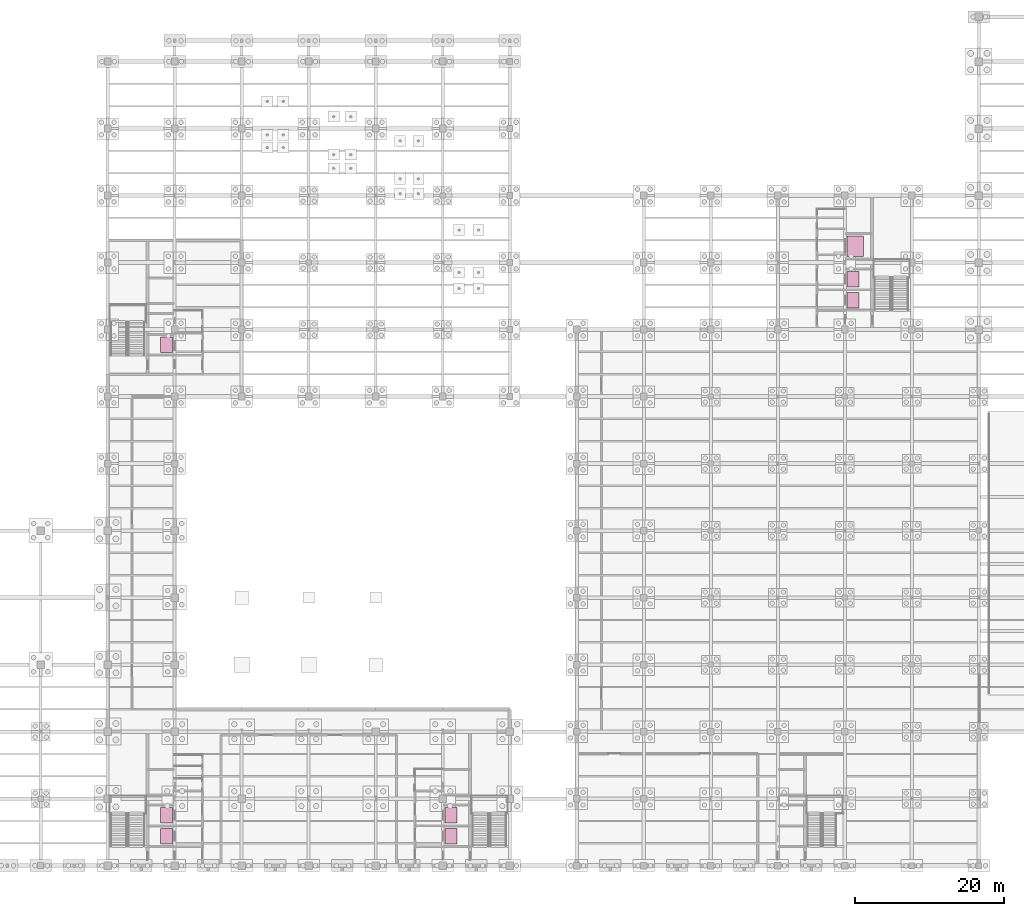
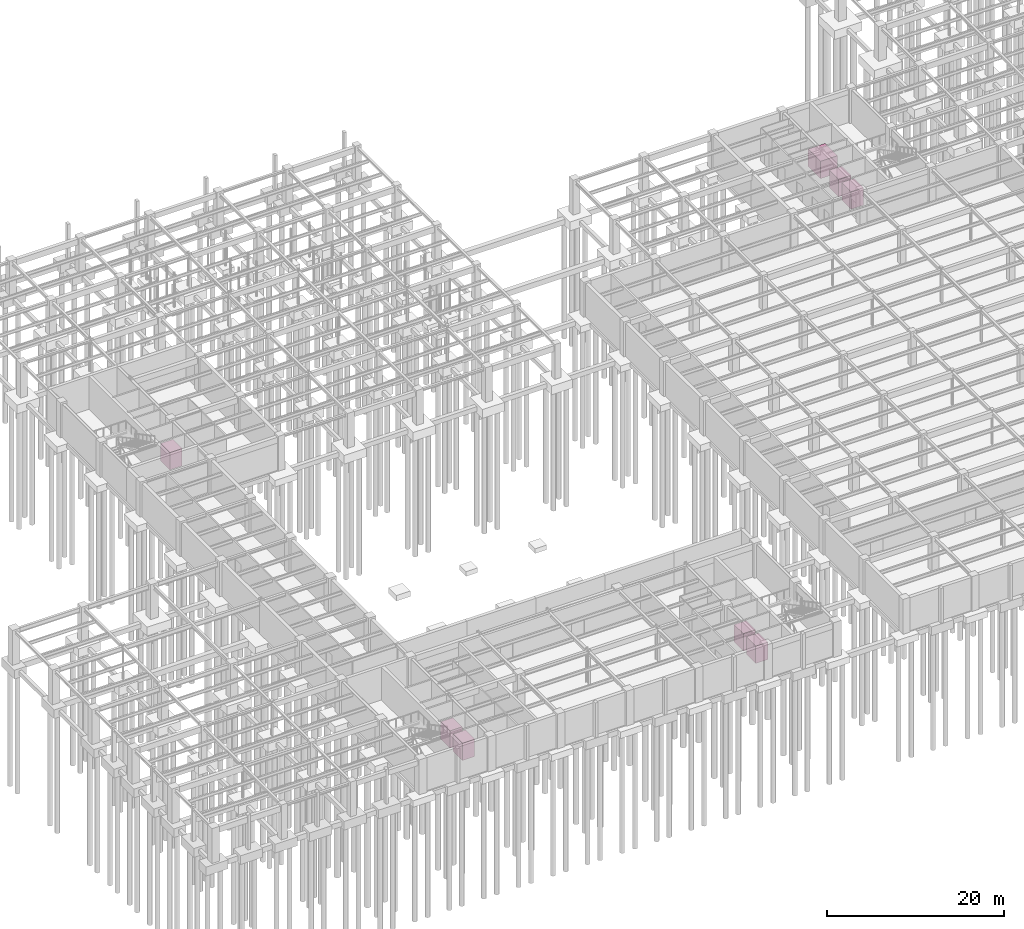
# One storey, part 49 of 49: 8 transport elements.
"""IFC4 building model written with IfcOpenShell, lengths in metres."""

import ifcopenshell
import ifcopenshell.guid

model = None  # the IFC model being written
_history = None  # IfcOwnerHistory: only IFC2X3 demands one
_inside = {}  # id of a spatial element -> (the spatial element, [elements in it])
_under = {}  # id of a project, library or spatial element -> (it, [spatial elements below it])
_declared = {}  # id of a project -> (the project, [libraries it declares])
_typed = {}  # id of a type object -> (the type object, [elements of that type])
_made_of = {}  # id of a material, layer set ... -> (it, [elements and type objects made of it])


def new_model(schema):
    """Start an empty IFC model of exactly this schema.

    Asked for "IFC4X3", IfcOpenShell would pick the latest addendum, in which some entities
    have other attributes; the version numbers below select the first issue.
    IFC2X3 requires an IfcOwnerHistory on every rooted entity: one is made here for all.
    """
    global model, _history
    if schema == "IFC4X3":
        model = ifcopenshell.file(schema_version=(4, 3, 0, 0))
    else:
        model = ifcopenshell.file(schema=schema)
    _inside.clear()
    _under.clear()
    _declared.clear()
    _typed.clear()
    _made_of.clear()
    _history = None
    if model.schema == "IFC2X3":
        org = make("IfcOrganization", Name="unknown")
        user = make(
            "IfcPersonAndOrganization",
            ThePerson=make("IfcPerson", FamilyName="unknown"),
            TheOrganization=org,
        )
        app = make(
            "IfcApplication",
            ApplicationDeveloper=org,
            Version="unknown",
            ApplicationFullName="unknown",
            ApplicationIdentifier="unknown",
        )
        _history = make(
            "IfcOwnerHistory",
            OwningUser=user,
            OwningApplication=app,
            ChangeAction="ADDED",
            CreationDate=0,
        )
    return model


def make(cls, **values):
    """One entity of the class cls with the attributes given. An attribute that is None is left unset."""
    return model.create_entity(
        cls, **{name: value for name, value in values.items() if value is not None}
    )


def rooted(cls, **values):
    """An entity with a GlobalId (a new one), such as an element, a storey or a relation."""
    return make(cls, GlobalId=ifcopenshell.guid.new(), OwnerHistory=_history, **values)


def si_unit(unit_type, name, prefix=None):
    """IfcSIUnit, for example si_unit("LENGTHUNIT", "METRE", prefix="MILLI")."""
    return make("IfcSIUnit", UnitType=unit_type, Prefix=prefix, Name=name)


def assignment(units):
    """IfcUnitAssignment: the units of a project."""
    return None if units is None else make("IfcUnitAssignment", Units=units)


def point(xyz):
    """IfcCartesianPoint."""
    return None if xyz is None else make("IfcCartesianPoint", Coordinates=xyz)


def direction(xyz):
    """IfcDirection."""
    return None if xyz is None else make("IfcDirection", DirectionRatios=xyz)


def frame(location, z_axis=None, x_axis=None):
    """IfcAxis2Placement3D, a coordinate frame: its origin and axes. An axis left out is left unset."""
    return make(
        "IfcAxis2Placement3D",
        Location=point(location),
        Axis=direction(z_axis),
        RefDirection=direction(x_axis),
    )


def frame_2d(location, x_axis=None):
    """IfcAxis2Placement2D, a coordinate frame in the plane: its origin and x axis."""
    return make(
        "IfcAxis2Placement2D", Location=point(location), RefDirection=direction(x_axis)
    )


def origin():
    """The frame at (0, 0, 0) with its axes left unset."""
    return frame((0.0, 0.0, 0.0))


def origin_2d():
    """The frame at (0, 0) in the plane with its x axis left unset."""
    return frame_2d((0.0, 0.0))


def place(relative_to, where):
    """IfcLocalPlacement: puts the frame where relative to a parent placement (None: the world)."""
    return make(
        "IfcLocalPlacement", PlacementRelTo=relative_to, RelativePlacement=where
    )


def context(
    kind, dimensions, precision=None, world=None, true_north=None, identifier=None
):
    """IfcGeometricRepresentationContext, for example the 3D "Model" context."""
    return make(
        "IfcGeometricRepresentationContext",
        ContextIdentifier=identifier,
        ContextType=kind,
        CoordinateSpaceDimension=dimensions,
        Precision=precision,
        WorldCoordinateSystem=world,
        TrueNorth=true_north,
    )


def subcontext(parent, identifier, kind, view, scale=None):
    """IfcGeometricRepresentationSubContext, for example "Body" below "Model"."""
    return make(
        "IfcGeometricRepresentationSubContext",
        ContextIdentifier=identifier,
        ContextType=kind,
        ParentContext=parent,
        TargetScale=scale,
        TargetView=view,
    )


def project(units=None, contexts=None):
    """IfcProject with its units and contexts."""
    return rooted(
        "IfcProject",
        Name="project",
        RepresentationContexts=contexts,
        UnitsInContext=assignment(units),
    )


def spatial(cls, under=None, at=None, **own):
    """A site, building, storey or space (cls), placed at a placement, below another one or the project."""
    s = rooted(cls, ObjectPlacement=at, **own)
    if under is not None:
        _under.setdefault(under.id(), (under, []))[1].append(s)
    return s


def profile(cls, at=None, kind="AREA", **sizes):
    """A parametric profile (cls). Its sizes go by their IFC names, for example OverallWidth=200.0."""
    return make(cls, ProfileType=kind, Position=at, **sizes)


def rectangle(**sizes):
    """IfcRectangleProfileDef."""
    return profile("IfcRectangleProfileDef", **sizes)


def extrude(swept, where, along, depth):
    """IfcExtrudedAreaSolid: the profile swept, set in the frame where, extruded along a direction by depth."""
    return make(
        "IfcExtrudedAreaSolid",
        SweptArea=swept,
        Position=where,
        ExtrudedDirection=direction(along),
        Depth=depth,
    )


def shape(context_of_items, identifier, shape_type, items):
    """IfcShapeRepresentation: the items that make up one representation, for example the "Body"."""
    return make(
        "IfcShapeRepresentation",
        ContextOfItems=context_of_items,
        RepresentationIdentifier=identifier,
        RepresentationType=shape_type,
        Items=items,
    )


def material(Name=None, Category=None):
    """IfcMaterial."""
    return make("IfcMaterial", Name=Name, Category=Category)


def made_of(thing, what):
    """Note that an element or type object is made of a material, layer set ...; save() writes the relation."""
    if what is not None:
        _made_of.setdefault(what.id(), (what, []))[1].append(thing)
    return thing


def type_object(cls, material=None, **own):
    """A type object (cls), such as IfcWallType, which elements share."""
    return made_of(rooted(cls, **own), material)


def element(
    cls,
    number,
    at=None,
    inside=None,
    cuts=None,
    type_object=None,
    material=None,
    context=None,
    identifier="Body",
    shape_type=None,
    held_by="IfcProductDefinitionShape",
    body=None,
    shapes=None,
    **own,
):
    """One element of the class cls, such as IfcWall. Its Tag is "e" and its number.

    at: its placement. inside: the storey or other place that contains it. cuts: it is an
    opening in that element (IfcRelVoidsElement). A single representation is given by context,
    identifier, shape_type and body (its items); several are given by shapes. held_by: the class
    of the entity that holds the representations. save() writes the other relations.
    """
    e = rooted(cls, Tag="e%d" % number, ObjectPlacement=at, **own)
    if body is not None:
        shapes = [shape(context, identifier, shape_type, body)]
    if shapes is not None:
        e.Representation = make(held_by, Representations=shapes)
    if inside is not None:
        _inside.setdefault(inside.id(), (inside, []))[1].append(e)
    if cuts is not None:
        rooted(
            "IfcRelVoidsElement", RelatingBuildingElement=cuts, RelatedOpeningElement=e
        )
    if type_object is not None:
        _typed.setdefault(type_object.id(), (type_object, []))[1].append(e)
    return made_of(e, material)


def aggregate(whole, parts):
    """IfcRelAggregates: a whole, such as a stair, and the parts it consists of."""
    return rooted("IfcRelAggregates", RelatingObject=whole, RelatedObjects=parts)


def save(model, path):
    """Write the relations noted so far, then the file.

    IfcRelAggregates (storeys below a building ...), IfcRelContainedInSpatialStructure (elements
    in a storey), IfcRelDefinesByType, IfcRelAssociatesMaterial and IfcRelDeclares: one each for
    every whole, place, type object, material and project.
    """
    for whole, parts in _under.values():
        aggregate(whole, parts)
    for where, things in _inside.values():
        rooted(
            "IfcRelContainedInSpatialStructure",
            RelatedElements=things,
            RelatingStructure=where,
        )
    for kind, things in _typed.values():
        rooted("IfcRelDefinesByType", RelatedObjects=things, RelatingType=kind)
    for what, things in _made_of.values():
        rooted("IfcRelAssociatesMaterial", RelatedObjects=things, RelatingMaterial=what)
    for by, libraries in _declared.values():
        rooted("IfcRelDeclares", RelatingContext=by, RelatedDefinitions=libraries)
    model.write(path)


model = new_model("IFC4")

# Units and contexts
model_context = context("Model", 3, precision=1e-05, world=origin(), true_north=direction((0.0, 1.0)))
body_context = subcontext(model_context, "Body", "Model", "MODEL_VIEW")
ifc_project = project(units=[si_unit("LENGTHUNIT", "METRE"), si_unit("AREAUNIT", "SQUARE_METRE"), si_unit("VOLUMEUNIT", "CUBIC_METRE"), si_unit("PLANEANGLEUNIT", "RADIAN"), si_unit("MASSUNIT", "GRAM", prefix="KILO")], contexts=[model_context])

# Site, building, storey
site_placement = place(None, origin())
site = spatial("IfcSite", under=ifc_project, at=site_placement, CompositionType="ELEMENT")
building_placement = place(site_placement, origin())
building = spatial("IfcBuilding", under=site, at=building_placement, Name="Lykobir Media Centre", CompositionType="ELEMENT")
storey_placement = place(building_placement, frame((0.0, 0.0, -4.800048828125)))
storey = spatial("IfcBuildingStorey", under=building, at=storey_placement, Name="B1", CompositionType="ELEMENT", Elevation=-4.800048828125)

# Transport elements
ifc_material = material(Name="Anodized Aluminium AW-6060", Category="aluminium")
transport_element_type_1 = type_object("IfcTransportElementType", Name="EL-FF-1600", PredefinedType="ELEVATOR", material=ifc_material)
for number, where, z_axis, x_axis, name in (
    (1, (34.89990234375, 6.75, 0.0), (0.0, 0.0, 1.0), (1.0, 0.0, 0.0), "Elevator car FL-1"),
    (2, (73.10009765625, 6.75, 0.0), (0.0, 0.0, 1.0), (1.0, 0.0, 0.0), "Elevator car FL-2"),
    (3, (127.10009765625, 78.75, 0.0), (0.0, 0.0, 1.0), (1.0, 0.0, 0.0), "Elevator car FL-3"),
):
    element("IfcTransportElement", number, at=place(storey_placement, frame(where, z_axis=z_axis, x_axis=x_axis)), inside=storey, type_object=transport_element_type_1, Name=name, PredefinedType="ELEVATOR", context=body_context, shape_type="SweptSolid", body=[
        extrude(rectangle(XDim=1.60009765625, YDim=2.10009765625, at=origin_2d()), origin(), (0.0, 0.0, 1.0), 2.39990234375),
    ])
transport_element_type_2 = type_object("IfcTransportElementType", Name="EL-GOODS-2200", PredefinedType="ELEVATOR", material=ifc_material)
transport_element_placement = place(storey_placement, frame((127.39990234375, 83.199951171875, 0.0), z_axis=(0.0, 0.0, 1.0), x_axis=(1.0, 0.0, 0.0)))
element("IfcTransportElement", 4, at=transport_element_placement, inside=storey, type_object=transport_element_type_2, Name="Elevator car GL-1", PredefinedType="ELEVATOR", context=body_context, shape_type="SweptSolid", body=[
    extrude(rectangle(XDim=2.199951171875, YDim=2.800048828125, at=origin_2d()), origin(), (0.0, 0.0, 1.0), 2.39990234375),
])
transport_element_type_3 = type_object("IfcTransportElementType", Name="EL-PASS-1600", PredefinedType="ELEVATOR", material=ifc_material)
for number, where, z_axis, x_axis, name in (
    (5, (34.89990234375, 3.949951171875, 0.0), (0.0, 0.0, 1.0), (1.0, 0.0, 0.0), "Elevator car PL-1"),
    (6, (73.10009765625, 3.949951171875, 0.0), (0.0, 0.0, 1.0), (1.0, 0.0, 0.0), "Elevator car PL-2"),
    (7, (34.89990234375, 69.949951171875, 0.0), (0.0, 0.0, 1.0), (1.0, 0.0, 0.0), "Elevator car PL-3"),
    (8, (127.10009765625, 75.949951171875, 0.0), (0.0, 0.0, 1.0), (1.0, 0.0, 0.0), "Elevator car PL-4"),
):
    element("IfcTransportElement", number, at=place(storey_placement, frame(where, z_axis=z_axis, x_axis=x_axis)), inside=storey, type_object=transport_element_type_3, Name=name, PredefinedType="ELEVATOR", context=body_context, shape_type="SweptSolid", body=[
        extrude(rectangle(XDim=1.60009765625, YDim=2.10009765625, at=origin_2d()), origin(), (0.0, 0.0, 1.0), 2.39990234375),
    ])

save(model, "model.ifc")
